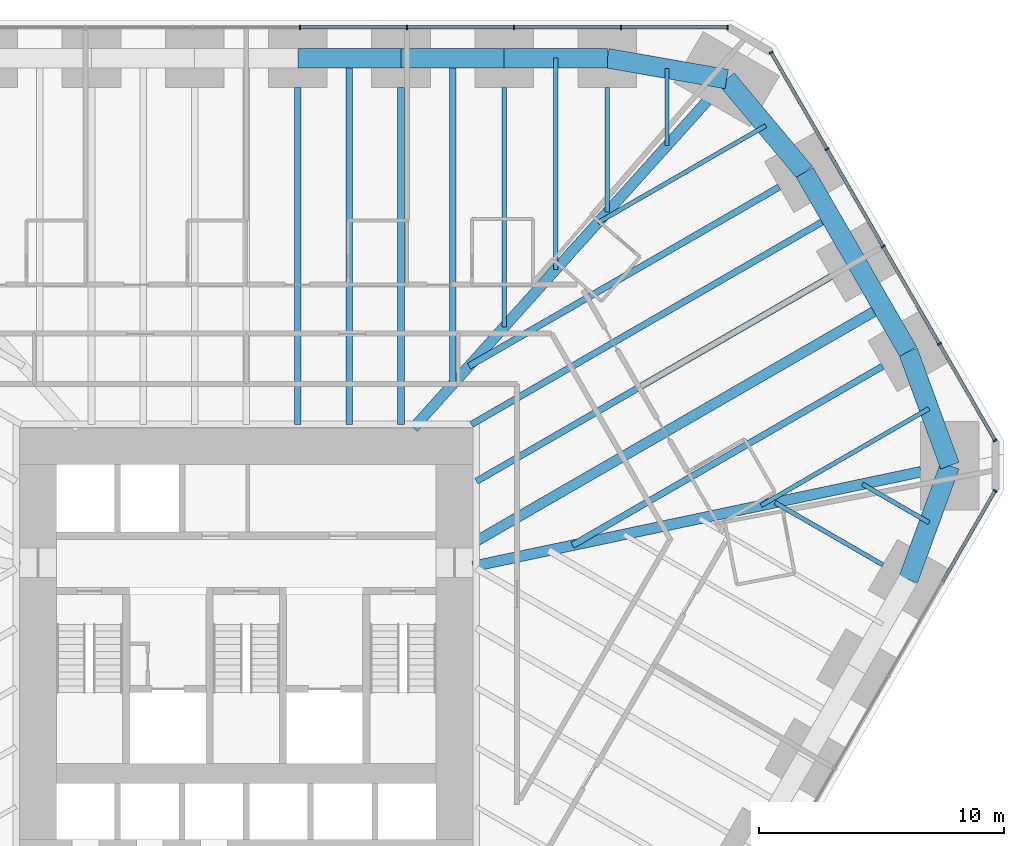
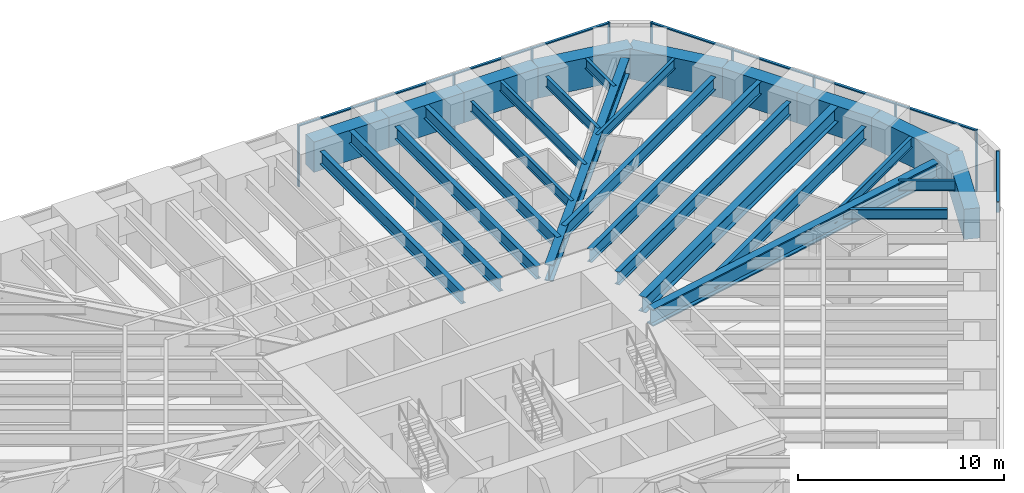
# One storey, part 9 of 17: 28 beams, 20 members, 3 elements without a shape of their own.
"""IFC4 building model written with IfcOpenShell, lengths in metres."""

from ifc_helpers import new_model, si_unit, direction, frame, origin, origin_2d, place, context, subcontext, project, spatial, rectangle, i_section, extrude, material, material_profile, profile_set, type_object, element, aggregate, save


model = new_model("IFC4")

# Units and contexts
model_context = context("Model", 3, precision=1e-05, world=origin(), true_north=direction((0.0, 1.0)))
body_context = subcontext(model_context, "Body", "Model", "MODEL_VIEW")
ifc_project = project(units=[si_unit("LENGTHUNIT", "METRE"), si_unit("AREAUNIT", "SQUARE_METRE"), si_unit("VOLUMEUNIT", "CUBIC_METRE"), si_unit("PLANEANGLEUNIT", "RADIAN"), si_unit("MASSUNIT", "GRAM", prefix="KILO")], contexts=[model_context])

# Site, building, storey
site_placement = place(None, origin())
site = spatial("IfcSite", under=ifc_project, at=site_placement, CompositionType="ELEMENT")
building_placement = place(site_placement, origin())
building = spatial("IfcBuilding", under=site, at=building_placement, Name="Sandreach Pilgrim Tower", CompositionType="ELEMENT")
storey_placement = place(building_placement, frame((0.0, 0.0, 49.60009765625)))
storey = spatial("IfcBuildingStorey", under=building, at=storey_placement, Name="L11", CompositionType="ELEMENT", Elevation=49.60009765625)

# Curtain wall, members
ifc_material_1 = material(Name="Aluminium framed curtain wall", Category="aluminium")
curtain_wall_type = type_object("IfcCurtainWallType", Name="Hostel tower curtain wall", PredefinedType="NOTDEFINED", material=ifc_material_1)
curtain_wall_1_placement = place(storey_placement, origin())
curtain_wall_1 = element("IfcCurtainWall", 1, at=curtain_wall_1_placement, inside=storey, type_object=curtain_wall_type, Name="CW-1 L11 N", PredefinedType="NOTDEFINED")
ifc_material_2 = material(Name="Aluminium extrusion", Category="aluminium")
ifc_material_profile_1 = material_profile(ifc_material_2, rectangle(XDim=0.06494140625, YDim=0.179931640625, at=origin_2d()), Name="CW-1M 65X180")
ifc_profile_set_1 = profile_set([ifc_material_profile_1], Name="Aluminium extrusion")
member_type_1 = type_object("IfcMemberType", Name="CW-1 mullion", PredefinedType="MULLION", material=ifc_profile_set_1)
member_1_placement = place(storey_placement, frame((2.185791015625, 23.94873046875, 0.0), z_axis=(0.0, 0.0, 1.0), x_axis=(1.0, 0.0, 0.0)))
member_1 = element("IfcMember", 2, at=member_1_placement, type_object=member_type_1, Name="CW-1 mullion 6", PredefinedType="MULLION", context=body_context, shape_type="SweptSolid", body=[
    extrude(rectangle(XDim=0.06494140625, YDim=0.179931640625, at=origin_2d()), origin(), (0.0, 0.0, 1.0), 3.639892578125),
])
member_2_placement = place(storey_placement, frame((6.557373046875, 23.94873046875, 0.0), z_axis=(0.0, 0.0, 1.0), x_axis=(1.0, 0.0, 0.0)))
member_2 = element("IfcMember", 3, at=member_2_placement, type_object=member_type_1, Name="CW-1 mullion 7", PredefinedType="MULLION", context=body_context, shape_type="SweptSolid", body=[
    extrude(rectangle(XDim=0.06494140625, YDim=0.179931640625, at=origin_2d()), origin(), (0.0, 0.0, 1.0), 3.639892578125),
])
member_3_placement = place(storey_placement, frame((10.928955078125, 23.94873046875, 0.0), z_axis=(0.0, 0.0, 1.0), x_axis=(1.0, 0.0, 0.0)))
member_3 = element("IfcMember", 4, at=member_3_placement, type_object=member_type_1, Name="CW-1 mullion 8", PredefinedType="MULLION", context=body_context, shape_type="SweptSolid", body=[
    extrude(rectangle(XDim=0.06494140625, YDim=0.179931640625, at=origin_2d()), origin(), (0.0, 0.0, 1.0), 3.639892578125),
])
member_4_placement = place(storey_placement, frame((15.300537109375, 23.94873046875, 0.0), z_axis=(0.0, 0.0, 1.0), x_axis=(1.0, 0.0, 0.0)))
member_4 = element("IfcMember", 5, at=member_4_placement, type_object=member_type_1, Name="CW-1 mullion 9", PredefinedType="MULLION", context=body_context, shape_type="SweptSolid", body=[
    extrude(rectangle(XDim=0.06494140625, YDim=0.179931640625, at=origin_2d()), origin(), (0.0, 0.0, 1.0), 3.639892578125),
])
member_5_placement = place(storey_placement, frame((19.6396484375, 23.94873046875, 0.0), z_axis=(0.0, 0.0, 1.0), x_axis=(1.0, 0.0, 0.0)))
member_5 = element("IfcMember", 6, at=member_5_placement, type_object=member_type_1, Name="CW-1 mullion 10", PredefinedType="MULLION", context=body_context, shape_type="SweptSolid", body=[
    extrude(rectangle(XDim=0.06494140625, YDim=0.179931640625, at=origin_2d()), origin(), (0.0, 0.0, 1.0), 3.639892578125),
])

curtain_wall_2_placement = place(storey_placement, origin())
curtain_wall_2 = element("IfcCurtainWall", 7, at=curtain_wall_2_placement, inside=storey, type_object=curtain_wall_type, Name="CW-1 L11 NE", PredefinedType="NOTDEFINED")
member_6_placement = place(storey_placement, frame((21.42041015625, 22.920654296875, 0.0), z_axis=(0.0, 0.0, 1.0), x_axis=(0.5, -0.866025403784, 0.0)))
member_6 = element("IfcMember", 8, at=member_6_placement, type_object=member_type_1, Name="CW-1 mullion 1", PredefinedType="MULLION", context=body_context, shape_type="SweptSolid", body=[
    extrude(rectangle(XDim=0.06494140625, YDim=0.179931640625, at=origin_2d()), origin(), (0.0, 0.0, 1.0), 3.639892578125),
])
member_7_placement = place(storey_placement, frame((23.697265625, 18.97705078125, 0.0), z_axis=(0.0, 0.0, 1.0), x_axis=(0.5, -0.866025403784, 0.0)))
member_7 = element("IfcMember", 9, at=member_7_placement, type_object=member_type_1, Name="CW-1 mullion 2", PredefinedType="MULLION", context=body_context, shape_type="SweptSolid", body=[
    extrude(rectangle(XDim=0.06494140625, YDim=0.179931640625, at=origin_2d()), origin(), (0.0, 0.0, 1.0), 3.639892578125),
])
member_8_placement = place(storey_placement, frame((25.990234375, 15.00537109375, 0.0), z_axis=(0.0, 0.0, 1.0), x_axis=(0.5, -0.866025403784, 0.0)))
member_8 = element("IfcMember", 10, at=member_8_placement, type_object=member_type_1, Name="CW-1 mullion 3", PredefinedType="MULLION", context=body_context, shape_type="SweptSolid", body=[
    extrude(rectangle(XDim=0.06494140625, YDim=0.179931640625, at=origin_2d()), origin(), (0.0, 0.0, 1.0), 3.639892578125),
])
member_9_placement = place(storey_placement, frame((28.283203125, 11.03369140625, 0.0), z_axis=(0.0, 0.0, 1.0), x_axis=(0.5, -0.866025403784, 0.0)))
member_9 = element("IfcMember", 11, at=member_9_placement, type_object=member_type_1, Name="CW-1 mullion 4", PredefinedType="MULLION", context=body_context, shape_type="SweptSolid", body=[
    extrude(rectangle(XDim=0.06494140625, YDim=0.179931640625, at=origin_2d()), origin(), (0.0, 0.0, 1.0), 3.639892578125),
])
member_10_placement = place(storey_placement, frame((30.56005859375, 7.09033203125, 0.0), z_axis=(0.0, 0.0, 1.0), x_axis=(0.5, -0.866025403784, 0.0)))
member_10 = element("IfcMember", 12, at=member_10_placement, type_object=member_type_1, Name="CW-1 mullion 5", PredefinedType="MULLION", context=body_context, shape_type="SweptSolid", body=[
    extrude(rectangle(XDim=0.06494140625, YDim=0.179931640625, at=origin_2d()), origin(), (0.0, 0.0, 1.0), 3.639892578125),
])

# Curtain wall, member
curtain_wall_3_placement = place(storey_placement, origin())
curtain_wall_3 = element("IfcCurtainWall", 13, at=curtain_wall_3_placement, inside=storey, type_object=curtain_wall_type, Name="CW-1 L11 SE", PredefinedType="NOTDEFINED")
member_11_placement = place(storey_placement, frame((30.56005859375, 5.033935546875, 0.0), z_axis=(0.0, 0.0, 1.0), x_axis=(-0.5, -0.866025403784, 0.0)))
member_11 = element("IfcMember", 14, at=member_11_placement, type_object=member_type_1, Name="CW-1 mullion 1", PredefinedType="MULLION", context=body_context, shape_type="SweptSolid", body=[
    extrude(rectangle(XDim=0.06494140625, YDim=0.179931640625, at=origin_2d()), origin(), (0.0, 0.0, 1.0), 3.639892578125),
])

# Member
ifc_material_3 = material(Name="Aluminium extrusion", Category="aluminium")
ifc_material_profile_2 = material_profile(ifc_material_3, rectangle(XDim=0.139892578125, YDim=0.070068359375, at=origin_2d()), Name="CW-1T 140X70")
ifc_profile_set_2 = profile_set([ifc_material_profile_2], Name="Aluminium extrusion")
member_type_2 = type_object("IfcMemberType", Name="CW-1 transom", PredefinedType="USERDEFINED", material=ifc_profile_set_2)
member_12_placement = place(storey_placement, frame((2.21826171875, 23.94873046875, 3.60498046875), z_axis=(1.0, 0.0, 0.0), x_axis=(0.0, 1.0, 0.0)))
member_12 = element("IfcMember", 15, at=member_12_placement, type_object=member_type_2, Name="CW-1 head transom 6", ObjectType="TRANSOM", PredefinedType="USERDEFINED", context=body_context, shape_type="SweptSolid", body=[
    extrude(rectangle(XDim=0.139892578125, YDim=0.070068359375, at=origin_2d()), origin(), (0.0, 0.0, 1.0), 4.306640625),
])

member_13_placement = place(storey_placement, frame((6.58984375, 23.94873046875, 3.60498046875), z_axis=(1.0, 0.0, 0.0), x_axis=(0.0, 1.0, 0.0)))
member_13 = element("IfcMember", 16, at=member_13_placement, type_object=member_type_2, Name="CW-1 head transom 7", ObjectType="TRANSOM", PredefinedType="USERDEFINED", context=body_context, shape_type="SweptSolid", body=[
    extrude(rectangle(XDim=0.139892578125, YDim=0.070068359375, at=origin_2d()), origin(), (0.0, 0.0, 1.0), 4.306640625),
])

member_14_placement = place(storey_placement, frame((10.96142578125, 23.94873046875, 3.60498046875), z_axis=(1.0, 0.0, 0.0), x_axis=(0.0, 1.0, 0.0)))
member_14 = element("IfcMember", 17, at=member_14_placement, type_object=member_type_2, Name="CW-1 head transom 8", ObjectType="TRANSOM", PredefinedType="USERDEFINED", context=body_context, shape_type="SweptSolid", body=[
    extrude(rectangle(XDim=0.139892578125, YDim=0.070068359375, at=origin_2d()), origin(), (0.0, 0.0, 1.0), 4.306640625),
])

member_15_placement = place(storey_placement, frame((15.3330078125, 23.94873046875, 3.60498046875), z_axis=(1.0, 0.0, 0.0), x_axis=(0.0, 1.0, 0.0)))
member_15 = element("IfcMember", 18, at=member_15_placement, type_object=member_type_2, Name="CW-1 head transom 9", ObjectType="TRANSOM", PredefinedType="USERDEFINED", context=body_context, shape_type="SweptSolid", body=[
    extrude(rectangle(XDim=0.139892578125, YDim=0.070068359375, at=origin_2d()), origin(), (0.0, 0.0, 1.0), 4.274169921875),
])

aggregate(curtain_wall_1, [member_1, member_2, member_3, member_4, member_5, member_12, member_13, member_14, member_15])

member_16_placement = place(storey_placement, frame((21.4365234375, 22.892333984375, 3.60498046875), z_axis=(0.500017500808, -0.866015299452, 0.0), x_axis=(0.866015299452, 0.500017500808, 0.0)))
member_16 = element("IfcMember", 19, at=member_16_placement, type_object=member_type_2, Name="CW-1 head transom 1", ObjectType="TRANSOM", PredefinedType="USERDEFINED", context=body_context, shape_type="SweptSolid", body=[
    extrude(rectangle(XDim=0.139892578125, YDim=0.070068359375, at=origin_2d()), origin(), (0.0, 0.0, 1.0), 4.488525390625),
])

member_17_placement = place(storey_placement, frame((23.71337890625, 18.948974609375, 3.60498046875), z_axis=(0.500001366228, -0.866024614991, 0.0), x_axis=(0.866024614991, 0.500001366228, 0.0)))
member_17 = element("IfcMember", 20, at=member_17_placement, type_object=member_type_2, Name="CW-1 head transom 2", ObjectType="TRANSOM", PredefinedType="USERDEFINED", context=body_context, shape_type="SweptSolid", body=[
    extrude(rectangle(XDim=0.139892578125, YDim=0.070068359375, at=origin_2d()), origin(), (0.0, 0.0, 1.0), 4.52099609375),
])

member_18_placement = place(storey_placement, frame((26.00634765625, 14.977294921875, 3.60498046875), z_axis=(0.500001366228, -0.866024614991, 0.0), x_axis=(0.866024614991, 0.500001366228, 0.0)))
member_18 = element("IfcMember", 21, at=member_18_placement, type_object=member_type_2, Name="CW-1 head transom 3", ObjectType="TRANSOM", PredefinedType="USERDEFINED", context=body_context, shape_type="SweptSolid", body=[
    extrude(rectangle(XDim=0.139892578125, YDim=0.070068359375, at=origin_2d()), origin(), (0.0, 0.0, 1.0), 4.52099609375),
])

member_19_placement = place(storey_placement, frame((28.299560546875, 11.005615234375, 3.60498046875), z_axis=(0.499976706761, -0.866038851724, 0.0), x_axis=(0.866038851724, 0.499976706761, 0.0)))
member_19 = element("IfcMember", 22, at=member_19_placement, type_object=member_type_2, Name="CW-1 head transom 4", ObjectType="TRANSOM", PredefinedType="USERDEFINED", context=body_context, shape_type="SweptSolid", body=[
    extrude(rectangle(XDim=0.139892578125, YDim=0.070068359375, at=origin_2d()), origin(), (0.0, 0.0, 1.0), 4.488525390625),
])

aggregate(curtain_wall_2, [member_6, member_7, member_8, member_9, member_10, member_16, member_17, member_18, member_19])

member_20_placement = place(storey_placement, frame((30.543701171875, 5.005859375, 3.60498046875), z_axis=(-0.499991113271, -0.866030534479, 0.0), x_axis=(0.866030534479, -0.499991113271, 0.0)))
member_20 = element("IfcMember", 23, at=member_20_placement, type_object=member_type_2, Name="CW-1 head transom 1", ObjectType="TRANSOM", PredefinedType="USERDEFINED", context=body_context, shape_type="SweptSolid", body=[
    extrude(rectangle(XDim=0.139892578125, YDim=0.070068359375, at=origin_2d()), origin(), (0.0, 0.0, 1.0), 4.27392578125),
])

aggregate(curtain_wall_3, [member_11, member_20])

# Beams
ifc_material_4 = material(Name="Steel ASTM A992 Grade 50", Category="steel")
ifc_material_profile_3 = material_profile(ifc_material_4, i_section(OverallWidth=0.431884765625, OverallDepth=0.988037109375, WebThickness=0.034423828125, FlangeThickness=0.06201171875, at=origin_2d()), Name="W36X441")
ifc_profile_set_3 = profile_set([ifc_material_profile_3], Name="Steel ASTM A992 Grade 50")
beam_type_1 = type_object("IfcBeamType", Name="Corner girder W36X441", PredefinedType="BEAM", material=ifc_profile_set_3)
beam_1_placement = place(storey_placement, frame((18.8046875, 20.94189453125, 3.145751953125), z_axis=(-0.668127834846, -0.74404650144, 0.0), x_axis=(0.74404650144, -0.668127834846, 0.0)))
element("IfcBeam", 24, at=beam_1_placement, inside=storey, type_object=beam_type_1, Name="BM L11 CG09", PredefinedType="BEAM", context=body_context, shape_type="SweptSolid", body=[
    extrude(i_section(OverallWidth=0.431884765625, OverallDepth=0.988037109375, WebThickness=0.034423828125, FlangeThickness=0.06201171875, at=origin_2d()), origin(), (0.0, 0.0, 1.0), 17.931396484375),
])
ifc_material_5 = material(Name="Steel ASTM A992 Grade 50", Category="steel")
ifc_material_profile_4 = material_profile(ifc_material_5, i_section(OverallWidth=0.436767578125, OverallDepth=1.010986328125, WebThickness=0.040771484375, FlangeThickness=0.073974609375, at=origin_2d()), Name="W36X529")
ifc_profile_set_4 = profile_set([ifc_material_profile_4], Name="Steel ASTM A992 Grade 50")
beam_type_2 = type_object("IfcBeamType", Name="Corner girder W36X529", PredefinedType="BEAM", material=ifc_profile_set_4)
beam_2_placement = place(storey_placement, frame((27.53857421875, 5.814208984375, 3.134521484375), z_axis=(-0.978429884383, -0.206579189045, 0.0), x_axis=(0.206579189045, -0.978429884383, 0.0)))
element("IfcBeam", 25, at=beam_2_placement, inside=storey, type_object=beam_type_2, Name="BM L11 CG13", PredefinedType="BEAM", context=body_context, shape_type="SweptSolid", body=[
    extrude(i_section(OverallWidth=0.436767578125, OverallDepth=1.010986328125, WebThickness=0.040771484375, FlangeThickness=0.073974609375, at=origin_2d()), origin(), (0.0, 0.0, 1.0), 18.691650390625),
])
ifc_material_6 = material(Name="Steel ASTM A992 Grade 50", Category="steel")
ifc_material_profile_5 = material_profile(ifc_material_6, i_section(OverallWidth=0.1787109375, OverallDepth=0.60205078125, WebThickness=0.010986328125, FlangeThickness=0.014892578125, at=origin_2d()), Name="W24X62")
ifc_profile_set_5 = profile_set([ifc_material_profile_5], Name="Steel ASTM A992 Grade 50")
beam_type_3 = type_object("IfcBeamType", Name="Floor beam W24X62", PredefinedType="BEAM", material=ifc_profile_set_5)
beam_3_placement = place(storey_placement, frame((10.52490234375, 21.48876953125, 3.3388671875), z_axis=(0.0, -1.0, 0.0), x_axis=(1.0, 0.0, 0.0)))
element("IfcBeam", 26, at=beam_3_placement, inside=storey, type_object=beam_type_3, Name="BM L11 F07", PredefinedType="BEAM", context=body_context, shape_type="SweptSolid", body=[
    extrude(i_section(OverallWidth=0.1787109375, OverallDepth=0.60205078125, WebThickness=0.010986328125, FlangeThickness=0.014892578125, at=origin_2d()), origin(), (0.0, 0.0, 1.0), 9.767822265625),
])
beam_4_placement = place(storey_placement, frame((14.734619140625, 21.48876953125, 3.3388671875), z_axis=(0.0, -1.0, 0.0), x_axis=(1.0, 0.0, 0.0)))
element("IfcBeam", 27, at=beam_4_placement, inside=storey, type_object=beam_type_3, Name="BM L11 F08", PredefinedType="BEAM", context=body_context, shape_type="SweptSolid", body=[
    extrude(i_section(OverallWidth=0.1787109375, OverallDepth=0.60205078125, WebThickness=0.010986328125, FlangeThickness=0.014892578125, at=origin_2d()), origin(), (0.0, 0.0, 1.0), 5.079345703125),
])
beam_5_placement = place(storey_placement, frame((25.97705078125, 2.016357421875, 3.3388671875), z_axis=(-0.866027897259, 0.49999568115, 0.0), x_axis=(-0.49999568115, -0.866027897259, 0.0)))
element("IfcBeam", 28, at=beam_5_placement, inside=storey, type_object=beam_type_3, Name="BM L11 F14", PredefinedType="BEAM", context=body_context, shape_type="SweptSolid", body=[
    extrude(i_section(OverallWidth=0.1787109375, OverallDepth=0.60205078125, WebThickness=0.010986328125, FlangeThickness=0.014892578125, at=origin_2d()), origin(), (0.0, 0.0, 1.0), 5.0791015625),
])
beam_6_placement = place(storey_placement, frame((12.629638671875, 22.688720703125, 3.3388671875), z_axis=(0.0, -1.0, 0.0), x_axis=(1.0, 0.0, 0.0)))
element("IfcBeam", 29, at=beam_6_placement, inside=storey, type_object=beam_type_3, Name="BM L11 FM07", PredefinedType="BEAM", context=body_context, shape_type="SweptSolid", body=[
    extrude(i_section(OverallWidth=0.1787109375, OverallDepth=0.60205078125, WebThickness=0.010986328125, FlangeThickness=0.014892578125, at=origin_2d()), origin(), (0.0, 0.0, 1.0), 8.62353515625),
])
beam_7_placement = place(storey_placement, frame((17.17041015625, 22.26171875, 3.3388671875), z_axis=(0.0, -1.0, 0.0), x_axis=(1.0, 0.0, 0.0)))
element("IfcBeam", 30, at=beam_7_placement, inside=storey, type_object=beam_type_3, Name="BM L11 FM08", PredefinedType="BEAM", context=body_context, shape_type="SweptSolid", body=[
    extrude(i_section(OverallWidth=0.1787109375, OverallDepth=0.60205078125, WebThickness=0.010986328125, FlangeThickness=0.014892578125, at=origin_2d()), origin(), (0.0, 0.0, 1.0), 3.1396484375),
])
for number, where, z_axis, x_axis, name in (
    (31, (21.197021484375, 19.933349609375, 3.3388671875), (-0.866028778003, -0.499994155636, 0.0), (0.499994155636, -0.866028778003, 0.0), "BM L11 FM09"),
    (32, (27.861328125, 8.390380859375, 3.3388671875), (-0.866028778003, -0.499994155636, 0.0), (0.499994155636, -0.866028778003, 0.0), "BM L11 FM12"),
):
    element("IfcBeam", number, at=place(storey_placement, frame(where, z_axis=z_axis, x_axis=x_axis)), inside=storey, type_object=beam_type_3, Name=name, PredefinedType="BEAM", context=body_context, shape_type="SweptSolid", body=[
        extrude(i_section(OverallWidth=0.1787109375, OverallDepth=0.60205078125, WebThickness=0.010986328125, FlangeThickness=0.014892578125, at=origin_2d()), origin(), (0.0, 0.0, 1.0), 7.90771484375),
    ])
beam_8_placement = place(storey_placement, frame((27.864501953125, 3.7392578125, 3.3388671875), z_axis=(-0.866023718453, 0.500002919068, 0.0), x_axis=(-0.500002919068, -0.866023718453, 0.0)))
element("IfcBeam", 33, at=beam_8_placement, inside=storey, type_object=beam_type_3, Name="BM L11 FM13", PredefinedType="BEAM", context=body_context, shape_type="SweptSolid", body=[
    extrude(i_section(OverallWidth=0.1787109375, OverallDepth=0.60205078125, WebThickness=0.010986328125, FlangeThickness=0.014892578125, at=origin_2d()), origin(), (0.0, 0.0, 1.0), 3.1396484375),
])
ifc_material_7 = material(Name="Steel ASTM A992 Grade 50", Category="steel")
ifc_material_profile_6 = material_profile(ifc_material_7, i_section(OverallWidth=0.2666015625, OverallDepth=0.761962890625, WebThickness=0.014404296875, FlangeThickness=0.021484375, at=origin_2d()), Name="W30X116")
ifc_profile_set_6 = profile_set([ifc_material_profile_6], Name="Steel ASTM A992 Grade 50")
beam_type_4 = type_object("IfcBeamType", Name="Floor beam W30X116", PredefinedType="BEAM", material=ifc_profile_set_6)
for number, where, z_axis, x_axis, name in (
    (34, (2.10498046875, 21.48876953125, 3.2587890625), (0.0, -1.0, 0.0), (1.0, 0.0, 0.0), "BM L11 F05"),
    (35, (6.31494140625, 21.48876953125, 3.2587890625), (0.0, -1.0, 0.0), (1.0, 0.0, 0.0), "BM L11 F06"),
):
    element("IfcBeam", number, at=place(storey_placement, frame(where, z_axis=z_axis, x_axis=x_axis)), inside=storey, type_object=beam_type_4, Name=name, PredefinedType="BEAM", context=body_context, shape_type="SweptSolid", body=[
        extrude(i_section(OverallWidth=0.2666015625, OverallDepth=0.761962890625, WebThickness=0.014404296875, FlangeThickness=0.021484375, at=origin_2d()), origin(), (0.0, 0.0, 1.0), 13.745361328125),
    ])
for number, where, z_axis, x_axis, name in (
    (36, (21.74853515625, 17.43212890625, 3.2587890625), (-0.866020355572, -0.500008743658, 0.0), (0.500008743658, -0.866020355572, 0.0), "BM L11 F10"),
    (37, (25.970947265625, 10.118896484375, 3.2587890625), (-0.866020355572, -0.500008743658, 0.0), (0.500008743658, -0.866020355572, 0.0), "BM L11 F12"),
):
    element("IfcBeam", number, at=place(storey_placement, frame(where, z_axis=z_axis, x_axis=x_axis)), inside=storey, type_object=beam_type_4, Name=name, PredefinedType="BEAM", context=body_context, shape_type="SweptSolid", body=[
        extrude(i_section(OverallWidth=0.2666015625, OverallDepth=0.761962890625, WebThickness=0.014404296875, FlangeThickness=0.021484375, at=origin_2d()), origin(), (0.0, 0.0, 1.0), 14.615966796875),
    ])
beam_9_placement = place(storey_placement, frame((4.2099609375, 22.688720703125, 3.2587890625), z_axis=(0.0, -1.0, 0.0), x_axis=(1.0, 0.0, 0.0)))
element("IfcBeam", 38, at=beam_9_placement, inside=storey, type_object=beam_type_4, Name="BM L11 FM05", PredefinedType="BEAM", context=body_context, shape_type="SweptSolid", body=[
    extrude(i_section(OverallWidth=0.2666015625, OverallDepth=0.761962890625, WebThickness=0.014404296875, FlangeThickness=0.021484375, at=origin_2d()), origin(), (0.0, 0.0, 1.0), 14.9453125),
])
beam_10_placement = place(storey_placement, frame((8.419921875, 22.688720703125, 3.2587890625), z_axis=(0.0, -1.0, 0.0), x_axis=(1.0, 0.0, 0.0)))
element("IfcBeam", 39, at=beam_10_placement, inside=storey, type_object=beam_type_4, Name="BM L11 FM06", PredefinedType="BEAM", context=body_context, shape_type="SweptSolid", body=[
    extrude(i_section(OverallWidth=0.2666015625, OverallDepth=0.761962890625, WebThickness=0.014404296875, FlangeThickness=0.021484375, at=origin_2d()), origin(), (0.0, 0.0, 1.0), 13.311767578125),
])
ifc_material_8 = material(Name="Steel ASTM A992 Grade 50", Category="steel")
ifc_material_profile_7 = material_profile(ifc_material_8, i_section(OverallWidth=0.2666015625, OverallDepth=0.77978515625, WebThickness=0.0166015625, FlangeThickness=0.030029296875, at=origin_2d()), Name="W30X148")
ifc_profile_set_7 = profile_set([ifc_material_profile_7], Name="Steel ASTM A992 Grade 50")
beam_type_5 = type_object("IfcBeamType", Name="Floor beam W30X148", PredefinedType="BEAM", material=ifc_profile_set_7)
beam_11_placement = place(storey_placement, frame((23.85986328125, 13.775390625, 3.25), z_axis=(-0.866031037473, -0.499990242038, 0.0), x_axis=(0.499990242038, -0.866031037473, 0.0)))
element("IfcBeam", 40, at=beam_11_placement, inside=storey, type_object=beam_type_5, Name="BM L11 F11", PredefinedType="BEAM", context=body_context, shape_type="SweptSolid", body=[
    extrude(i_section(OverallWidth=0.2666015625, OverallDepth=0.77978515625, WebThickness=0.0166015625, FlangeThickness=0.030029296875, at=origin_2d()), origin(), (0.0, 0.0, 1.0), 16.704345703125),
])
beam_12_placement = place(storey_placement, frame((23.843505859375, 16.203857421875, 3.25), z_axis=(-0.866027248123, -0.499996805499, 0.0), x_axis=(0.499996805499, -0.866027248123, 0.0)))
element("IfcBeam", 41, at=beam_12_placement, inside=storey, type_object=beam_type_5, Name="BM L11 FM10", PredefinedType="BEAM", context=body_context, shape_type="SweptSolid", body=[
    extrude(i_section(OverallWidth=0.2666015625, OverallDepth=0.77978515625, WebThickness=0.0166015625, FlangeThickness=0.030029296875, at=origin_2d()), origin(), (0.0, 0.0, 1.0), 16.9208984375),
])
ifc_material_9 = material(Name="Steel ASTM A992 Grade 50", Category="steel")
ifc_material_profile_8 = material_profile(ifc_material_9, i_section(OverallWidth=0.419189453125, OverallDepth=0.927001953125, WebThickness=0.019287109375, FlangeThickness=0.031982421875, at=origin_2d()), Name="W36X231")
ifc_profile_set_8 = profile_set([ifc_material_profile_8], Name="Steel ASTM A992 Grade 50")
beam_type_6 = type_object("IfcBeamType", Name="Floor beam W36X231", PredefinedType="BEAM", material=ifc_profile_set_8)
beam_13_placement = place(storey_placement, frame((25.95458984375, 12.547119140625, 3.17626953125), z_axis=(-0.866028474707, -0.499994680968, 0.0), x_axis=(0.499994680968, -0.866028474707, 0.0)))
element("IfcBeam", 42, at=beam_13_placement, inside=storey, type_object=beam_type_6, Name="BM L11 FM11", PredefinedType="BEAM", context=body_context, shape_type="SweptSolid", body=[
    extrude(i_section(OverallWidth=0.419189453125, OverallDepth=0.927001953125, WebThickness=0.019287109375, FlangeThickness=0.031982421875, at=origin_2d()), origin(), (0.0, 0.0, 1.0), 19.123291015625),
])
ifc_material_10 = material(Name="Concrete 10000 psi", Category="concrete")
ifc_material_profile_9 = material_profile(ifc_material_10, rectangle(XDim=0.800048828125, YDim=1.800048828125, at=origin_2d()), Name="RC800X1800")
ifc_profile_set_9 = profile_set([ifc_material_profile_9], Name="Concrete 10000 psi")
beam_type_7 = type_object("IfcBeamType", Name="Spandrel beam RC800X1800", PredefinedType="SPANDREL", material=ifc_profile_set_9)
for number, where, z_axis, x_axis, name in (
    (43, (2.10498046875, 22.688720703125, 2.739990234375), (1.0, 0.0, 0.0), (0.0, 1.0, 0.0), "BM L11 SP05"),
    (44, (6.31494140625, 22.688720703125, 2.739990234375), (1.0, 0.0, 0.0), (0.0, 1.0, 0.0), "BM L11 SP06"),
):
    element("IfcBeam", number, at=place(storey_placement, frame(where, z_axis=z_axis, x_axis=x_axis)), inside=storey, type_object=beam_type_7, Name=name, PredefinedType="SPANDREL", context=body_context, shape_type="SweptSolid", body=[
        extrude(rectangle(XDim=0.800048828125, YDim=1.800048828125, at=origin_2d()), origin(), (0.0, 0.0, 1.0), 4.2099609375),
    ])
beam_14_placement = place(storey_placement, frame((10.52490234375, 22.688720703125, 2.739990234375), z_axis=(1.0, 0.0, 0.0), x_axis=(0.0, 1.0, 0.0)))
element("IfcBeam", 45, at=beam_14_placement, inside=storey, type_object=beam_type_7, Name="BM L11 SP07", PredefinedType="SPANDREL", context=body_context, shape_type="SweptSolid", body=[
    extrude(rectangle(XDim=0.800048828125, YDim=1.800048828125, at=origin_2d()), origin(), (0.0, 0.0, 1.0), 4.209716796875),
])
beam_15_placement = place(storey_placement, frame((14.734619140625, 22.688720703125, 2.739990234375), z_axis=(0.984981186582, -0.172661698355, 0.0), x_axis=(0.172661698355, 0.984981186582, 0.0)))
element("IfcBeam", 46, at=beam_15_placement, inside=storey, type_object=beam_type_7, Name="BM L11 SP08", PredefinedType="SPANDREL", context=body_context, shape_type="SweptSolid", body=[
    extrude(rectangle(XDim=0.800048828125, YDim=1.800048828125, at=origin_2d()), origin(), (0.0, 0.0, 1.0), 4.946044921875),
])
beam_16_placement = place(storey_placement, frame((19.6064453125, 21.834716796875, 2.739990234375), z_axis=(0.641665295114, -0.766984777584, 0.0), x_axis=(0.766984777584, 0.641665295114, 0.0)))
element("IfcBeam", 47, at=beam_16_placement, inside=storey, type_object=beam_type_7, Name="BM L11 SP09", PredefinedType="SPANDREL", context=body_context, shape_type="SweptSolid", body=[
    extrude(rectangle(XDim=0.800048828125, YDim=1.800048828125, at=origin_2d()), origin(), (0.0, 0.0, 1.0), 4.9580078125),
])
beam_17_placement = place(storey_placement, frame((22.787841796875, 18.031982421875, 2.739990234375), z_axis=(0.500001084989, -0.866024777365, 0.0), x_axis=(0.866024777365, 0.500001084989, 0.0)))
element("IfcBeam", 48, at=beam_17_placement, inside=storey, type_object=beam_type_7, Name="BM L11 SP10", PredefinedType="SPANDREL", context=body_context, shape_type="SweptSolid", body=[
    extrude(rectangle(XDim=0.800048828125, YDim=1.800048828125, at=origin_2d()), origin(), (0.0, 0.0, 1.0), 4.22216796875),
])
beam_18_placement = place(storey_placement, frame((24.89892578125, 14.37548828125, 2.739990234375), z_axis=(0.500019412692, -0.866014195571, 0.0), x_axis=(0.866014195571, 0.500019412692, 0.0)))
element("IfcBeam", 49, at=beam_18_placement, inside=storey, type_object=beam_type_7, Name="BM L11 SP11", PredefinedType="SPANDREL", context=body_context, shape_type="SweptSolid", body=[
    extrude(rectangle(XDim=0.800048828125, YDim=1.800048828125, at=origin_2d()), origin(), (0.0, 0.0, 1.0), 4.222412109375),
])
beam_19_placement = place(storey_placement, frame((27.01025390625, 10.71875, 2.739990234375), z_axis=(0.343367552823, -0.939201109278, 0.0), x_axis=(0.939201109278, 0.343367552823, 0.0)))
element("IfcBeam", 50, at=beam_19_placement, inside=storey, type_object=beam_type_7, Name="BM L11 SP12", PredefinedType="SPANDREL", context=body_context, shape_type="SweptSolid", body=[
    extrude(rectangle(XDim=0.800048828125, YDim=1.800048828125, at=origin_2d()), origin(), (0.0, 0.0, 1.0), 4.9580078125),
])
beam_20_placement = place(storey_placement, frame((28.712646484375, 6.062255859375, 2.739990234375), z_axis=(-0.342963480301, -0.939348737786, 0.0), x_axis=(0.939348737786, -0.342963480301, 0.0)))
element("IfcBeam", 51, at=beam_20_placement, inside=storey, type_object=beam_type_7, Name="BM L11 SP13", PredefinedType="SPANDREL", context=body_context, shape_type="SweptSolid", body=[
    extrude(rectangle(XDim=0.800048828125, YDim=1.800048828125, at=origin_2d()), origin(), (0.0, 0.0, 1.0), 4.946044921875),
])

save(model, "model.ifc")
